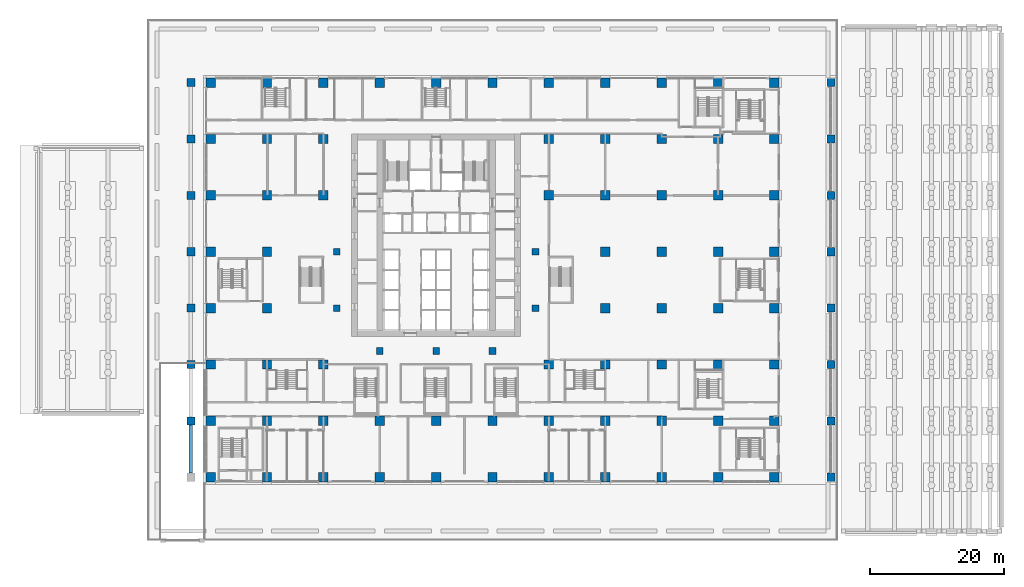
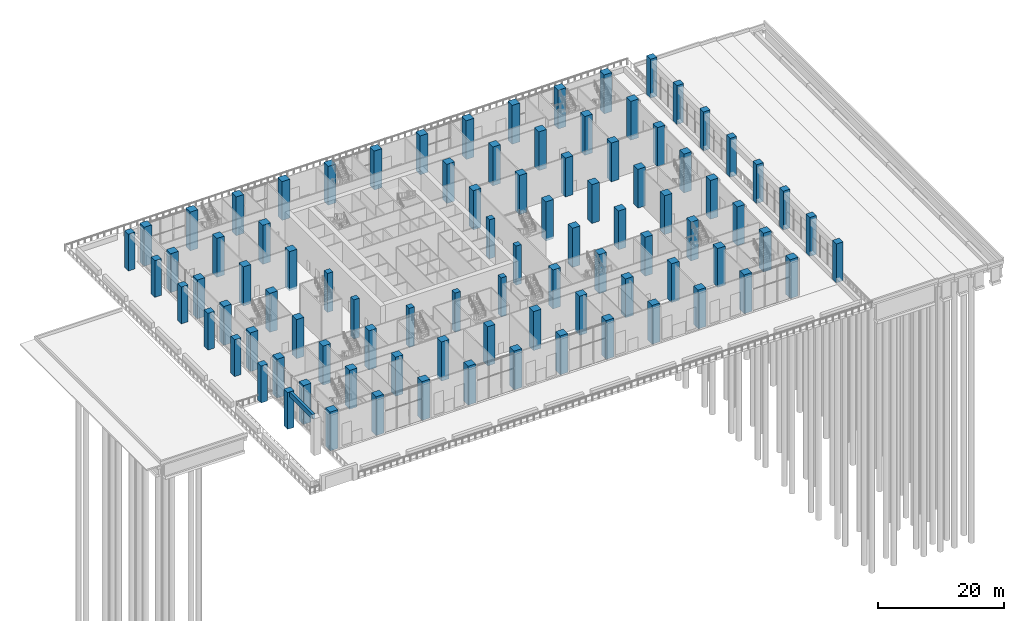
# One storey, part 3 of 53: 91 columns, 1 beam.
"""IFC4 building model written with IfcOpenShell, lengths in metres."""

from ifc_helpers import new_model, si_unit, direction, frame, origin, origin_2d, place, context, subcontext, project, spatial, rectangle, extrude, material, material_profile, profile_set, type_object, element, save


model = new_model("IFC4")

# Units and contexts
model_context = context("Model", 3, precision=1e-05, world=origin(), true_north=direction((0.0, 1.0)))
body_context = subcontext(model_context, "Body", "Model", "MODEL_VIEW")
ifc_project = project(units=[si_unit("LENGTHUNIT", "METRE"), si_unit("AREAUNIT", "SQUARE_METRE"), si_unit("VOLUMEUNIT", "CUBIC_METRE"), si_unit("PLANEANGLEUNIT", "RADIAN"), si_unit("MASSUNIT", "GRAM", prefix="KILO")], contexts=[model_context])

# Site, building, storey
site_placement = place(None, origin())
site = spatial("IfcSite", under=ifc_project, at=site_placement, CompositionType="ELEMENT")
building_placement = place(site_placement, origin())
building = spatial("IfcBuilding", under=site, at=building_placement, Name="Vermilion Ogive Tower", CompositionType="ELEMENT")
storey_placement = place(building_placement, origin())
storey = spatial("IfcBuildingStorey", under=building, at=storey_placement, Name="L00", CompositionType="ELEMENT", Elevation=0.0)

# Columns
ifc_material_1 = material(Name="Concrete B60", Category="concrete")
ifc_material_profile_1 = material_profile(ifc_material_1, rectangle(XDim=1.199951171875, YDim=1.199951171875, at=origin_2d()), Name="RC 1200x1200")
ifc_profile_set_1 = profile_set([ifc_material_profile_1], Name="Concrete B60")
column_type_1 = type_object("IfcColumnType", Name="Canopy pier CC2 1200x1200", PredefinedType="COLUMN", material=ifc_profile_set_1)
for number, where, z_axis, x_axis, name in (
    (1, (-36.550048828125, -21.0, 0.0), (0.0, 0.0, 1.0), (1.0, 0.0, 0.0), "Canopy pier 02"),
    (2, (-36.550048828125, -12.60009765625, 0.0), (0.0, 0.0, 1.0), (1.0, 0.0, 0.0), "Canopy pier 03"),
    (3, (-36.550048828125, -4.199951171875, 0.0), (0.0, 0.0, 1.0), (1.0, 0.0, 0.0), "Canopy pier 04"),
    (4, (-36.550048828125, 4.199951171875, 0.0), (0.0, 0.0, 1.0), (1.0, 0.0, 0.0), "Canopy pier 05"),
    (5, (-36.550048828125, 12.60009765625, 0.0), (0.0, 0.0, 1.0), (1.0, 0.0, 0.0), "Canopy pier 06"),
    (6, (-36.550048828125, 21.0, 0.0), (0.0, 0.0, 1.0), (1.0, 0.0, 0.0), "Canopy pier 07"),
    (7, (-36.550048828125, 29.39990234375, 0.0), (0.0, 0.0, 1.0), (1.0, 0.0, 0.0), "Canopy pier 08"),
):
    element("IfcColumn", number, at=place(storey_placement, frame(where, z_axis=z_axis, x_axis=x_axis)), inside=storey, type_object=column_type_1, Name=name, PredefinedType="COLUMN", context=body_context, shape_type="SweptSolid", body=[
        extrude(rectangle(XDim=1.199951171875, YDim=1.199951171875, at=origin_2d()), origin(), (0.0, 0.0, 1.0), 7.10009765625),
    ])
ifc_material_2 = material(Name="Concrete B80", Category="concrete")
ifc_material_profile_2 = material_profile(ifc_material_2, rectangle(XDim=1.39990234375, YDim=1.39990234375, at=origin_2d()), Name="1400 x 1400")
ifc_profile_set_2 = profile_set([ifc_material_profile_2], Name="Concrete B80")
column_type_2 = type_object("IfcColumnType", Name="Perimeter column 1400 x 1400 B80", PredefinedType="COLUMN", material=ifc_profile_set_2)
for number, where, z_axis, x_axis, name in (
    (8, (-16.800048828125, -21.0, -0.449951171875), (0.0, 0.0, 1.0), (1.0, 0.0, 0.0), "COL-L00-P-0168-210"),
    (9, (-8.39990234375, -21.0, -0.449951171875), (0.0, 0.0, 1.0), (1.0, 0.0, 0.0), "COL-L00-P-0084-210"),
    (10, (0.0, -21.0, -0.449951171875), (0.0, 0.0, 1.0), (1.0, 0.0, 0.0), "COL-L00-P+0000-210"),
    (11, (8.39990234375, -21.0, -0.449951171875), (0.0, 0.0, 1.0), (1.0, 0.0, 0.0), "COL-L00-P+0084-210"),
    (12, (16.800048828125, -21.0, -0.449951171875), (0.0, 0.0, 1.0), (1.0, 0.0, 0.0), "COL-L00-P+0168-210"),
    (13, (-25.199951171875, -12.60009765625, -0.449951171875), (0.0, 0.0, 1.0), (1.0, 0.0, 0.0), "COL-L00-P-0252-126"),
    (14, (-16.800048828125, -12.60009765625, -0.449951171875), (0.0, 0.0, 1.0), (1.0, 0.0, 0.0), "COL-L00-P-0168-126"),
    (15, (16.800048828125, -12.60009765625, -0.449951171875), (0.0, 0.0, 1.0), (1.0, 0.0, 0.0), "COL-L00-P+0168-126"),
    (16, (25.199951171875, -12.60009765625, -0.449951171875), (0.0, 0.0, 1.0), (1.0, 0.0, 0.0), "COL-L00-P+0252-126"),
    (17, (-25.199951171875, -4.199951171875, -0.449951171875), (0.0, 0.0, 1.0), (1.0, 0.0, 0.0), "COL-L00-P-0252-042"),
    (18, (25.199951171875, -4.199951171875, -0.449951171875), (0.0, 0.0, 1.0), (1.0, 0.0, 0.0), "COL-L00-P+0252-042"),
    (19, (-25.199951171875, 4.199951171875, -0.449951171875), (0.0, 0.0, 1.0), (1.0, 0.0, 0.0), "COL-L00-P-0252+042"),
    (20, (25.199951171875, 4.199951171875, -0.449951171875), (0.0, 0.0, 1.0), (1.0, 0.0, 0.0), "COL-L00-P+0252+042"),
    (21, (-25.199951171875, 12.60009765625, -0.449951171875), (0.0, 0.0, 1.0), (1.0, 0.0, 0.0), "COL-L00-P-0252+126"),
    (22, (-16.800048828125, 12.60009765625, -0.449951171875), (0.0, 0.0, 1.0), (1.0, 0.0, 0.0), "COL-L00-P-0168+126"),
    (23, (16.800048828125, 12.60009765625, -0.449951171875), (0.0, 0.0, 1.0), (1.0, 0.0, 0.0), "COL-L00-P+0168+126"),
    (24, (25.199951171875, 12.60009765625, -0.449951171875), (0.0, 0.0, 1.0), (1.0, 0.0, 0.0), "COL-L00-P+0252+126"),
    (25, (-16.800048828125, 21.0, -0.449951171875), (0.0, 0.0, 1.0), (1.0, 0.0, 0.0), "COL-L00-P-0168+210"),
    (26, (16.800048828125, 21.0, -0.449951171875), (0.0, 0.0, 1.0), (1.0, 0.0, 0.0), "COL-L00-P+0168+210"),
):
    element("IfcColumn", number, at=place(storey_placement, frame(where, z_axis=z_axis, x_axis=x_axis)), inside=storey, type_object=column_type_2, Name=name, PredefinedType="COLUMN", context=body_context, shape_type="SweptSolid", body=[
        extrude(rectangle(XDim=1.39990234375, YDim=1.39990234375, at=origin_2d()), origin(), (0.0, 0.0, 1.0), 7.550048828125),
    ])
ifc_material_3 = material(Name="Concrete B60", Category="concrete")
ifc_material_profile_3 = material_profile(ifc_material_3, rectangle(XDim=1.199951171875, YDim=1.199951171875, at=origin_2d()), Name="RC 1200x1200")
ifc_profile_set_3 = profile_set([ifc_material_profile_3], Name="Concrete B60")
column_type_3 = type_object("IfcColumnType", Name="Podium column RC 1200", PredefinedType="COLUMN", material=ifc_profile_set_3)
for number, where, z_axis, x_axis, name in (
    (27, (58.800048828125, -29.39990234375, 0.0), (0.0, 0.0, 1.0), (1.0, 0.0, 0.0), "Column 1.2 L00"),
    (28, (58.800048828125, -21.0, 0.0), (0.0, 0.0, 1.0), (1.0, 0.0, 0.0), "Column 1.2 L00"),
    (29, (58.800048828125, -12.60009765625, 0.0), (0.0, 0.0, 1.0), (1.0, 0.0, 0.0), "Column 1.2 L00"),
    (30, (58.800048828125, -4.199951171875, 0.0), (0.0, 0.0, 1.0), (1.0, 0.0, 0.0), "Column 1.2 L00"),
    (31, (58.800048828125, 4.199951171875, 0.0), (0.0, 0.0, 1.0), (1.0, 0.0, 0.0), "Column 1.2 L00"),
    (32, (58.800048828125, 12.60009765625, 0.0), (0.0, 0.0, 1.0), (1.0, 0.0, 0.0), "Column 1.2 L00"),
    (33, (58.800048828125, 21.0, 0.0), (0.0, 0.0, 1.0), (1.0, 0.0, 0.0), "Column 1.2 L00"),
    (34, (58.800048828125, 29.39990234375, 0.0), (0.0, 0.0, 1.0), (1.0, 0.0, 0.0), "Column 1.2 L00"),
):
    element("IfcColumn", number, at=place(storey_placement, frame(where, z_axis=z_axis, x_axis=x_axis)), inside=storey, type_object=column_type_3, Name=name, PredefinedType="COLUMN", context=body_context, shape_type="SweptSolid", body=[
        extrude(rectangle(XDim=1.199951171875, YDim=1.199951171875, at=origin_2d()), origin(), (0.0, 0.0, 1.0), 7.5),
    ])
ifc_material_4 = material(Name="Concrete B60", Category="concrete")
ifc_material_profile_4 = material_profile(ifc_material_4, rectangle(XDim=1.39990234375, YDim=1.39990234375, at=origin_2d()), Name="RC 1400x1400")
ifc_profile_set_4 = profile_set([ifc_material_profile_4], Name="Concrete B60")
column_type_4 = type_object("IfcColumnType", Name="Podium column RC 1400", PredefinedType="COLUMN", material=ifc_profile_set_4)
for number, where, z_axis, x_axis, name in (
    (35, (-33.60009765625, -29.39990234375, 0.0), (0.0, 0.0, 1.0), (1.0, 0.0, 0.0), "Column 1.4 L00"),
    (36, (-25.199951171875, -29.39990234375, 0.0), (0.0, 0.0, 1.0), (1.0, 0.0, 0.0), "Column 1.4 L00"),
    (37, (-16.800048828125, -29.39990234375, 0.0), (0.0, 0.0, 1.0), (1.0, 0.0, 0.0), "Column 1.4 L00"),
    (38, (-8.39990234375, -29.39990234375, 0.0), (0.0, 0.0, 1.0), (1.0, 0.0, 0.0), "Column 1.4 L00"),
    (39, (0.0, -29.39990234375, 0.0), (0.0, 0.0, 1.0), (1.0, 0.0, 0.0), "Column 1.4 L00"),
    (40, (8.39990234375, -29.39990234375, 0.0), (0.0, 0.0, 1.0), (1.0, 0.0, 0.0), "Column 1.4 L00"),
    (41, (16.800048828125, -29.39990234375, 0.0), (0.0, 0.0, 1.0), (1.0, 0.0, 0.0), "Column 1.4 L00"),
    (42, (25.199951171875, -29.39990234375, 0.0), (0.0, 0.0, 1.0), (1.0, 0.0, 0.0), "Column 1.4 L00"),
    (43, (33.60009765625, -29.39990234375, 0.0), (0.0, 0.0, 1.0), (1.0, 0.0, 0.0), "Column 1.4 L00"),
    (44, (42.0, -29.39990234375, 0.0), (0.0, 0.0, 1.0), (1.0, 0.0, 0.0), "Column 1.4 L00"),
    (45, (50.39990234375, -29.39990234375, 0.0), (0.0, 0.0, 1.0), (1.0, 0.0, 0.0), "Column 1.4 L00"),
    (46, (-33.60009765625, -21.0, 0.0), (0.0, 0.0, 1.0), (1.0, 0.0, 0.0), "Column 1.4 L00"),
    (47, (-25.199951171875, -21.0, 0.0), (0.0, 0.0, 1.0), (1.0, 0.0, 0.0), "Column 1.4 L00"),
    (48, (25.199951171875, -21.0, 0.0), (0.0, 0.0, 1.0), (1.0, 0.0, 0.0), "Column 1.4 L00"),
    (49, (33.60009765625, -21.0, 0.0), (0.0, 0.0, 1.0), (1.0, 0.0, 0.0), "Column 1.4 L00"),
    (50, (42.0, -21.0, 0.0), (0.0, 0.0, 1.0), (1.0, 0.0, 0.0), "Column 1.4 L00"),
    (51, (50.39990234375, -21.0, 0.0), (0.0, 0.0, 1.0), (1.0, 0.0, 0.0), "Column 1.4 L00"),
    (52, (-33.60009765625, -12.60009765625, 0.0), (0.0, 0.0, 1.0), (1.0, 0.0, 0.0), "Column 1.4 L00"),
    (53, (33.60009765625, -12.60009765625, 0.0), (0.0, 0.0, 1.0), (1.0, 0.0, 0.0), "Column 1.4 L00"),
    (54, (42.0, -12.60009765625, 0.0), (0.0, 0.0, 1.0), (1.0, 0.0, 0.0), "Column 1.4 L00"),
    (55, (50.39990234375, -12.60009765625, 0.0), (0.0, 0.0, 1.0), (1.0, 0.0, 0.0), "Column 1.4 L00"),
    (56, (-33.60009765625, -4.199951171875, 0.0), (0.0, 0.0, 1.0), (1.0, 0.0, 0.0), "Column 1.4 L00"),
    (57, (33.60009765625, -4.199951171875, 0.0), (0.0, 0.0, 1.0), (1.0, 0.0, 0.0), "Column 1.4 L00"),
    (58, (42.0, -4.199951171875, 0.0), (0.0, 0.0, 1.0), (1.0, 0.0, 0.0), "Column 1.4 L00"),
    (59, (50.39990234375, -4.199951171875, 0.0), (0.0, 0.0, 1.0), (1.0, 0.0, 0.0), "Column 1.4 L00"),
    (60, (-33.60009765625, 4.199951171875, 0.0), (0.0, 0.0, 1.0), (1.0, 0.0, 0.0), "Column 1.4 L00"),
    (61, (33.60009765625, 4.199951171875, 0.0), (0.0, 0.0, 1.0), (1.0, 0.0, 0.0), "Column 1.4 L00"),
    (62, (42.0, 4.199951171875, 0.0), (0.0, 0.0, 1.0), (1.0, 0.0, 0.0), "Column 1.4 L00"),
    (63, (50.39990234375, 4.199951171875, 0.0), (0.0, 0.0, 1.0), (1.0, 0.0, 0.0), "Column 1.4 L00"),
    (64, (-33.60009765625, 12.60009765625, 0.0), (0.0, 0.0, 1.0), (1.0, 0.0, 0.0), "Column 1.4 L00"),
    (65, (33.60009765625, 12.60009765625, 0.0), (0.0, 0.0, 1.0), (1.0, 0.0, 0.0), "Column 1.4 L00"),
    (66, (42.0, 12.60009765625, 0.0), (0.0, 0.0, 1.0), (1.0, 0.0, 0.0), "Column 1.4 L00"),
    (67, (50.39990234375, 12.60009765625, 0.0), (0.0, 0.0, 1.0), (1.0, 0.0, 0.0), "Column 1.4 L00"),
    (68, (-33.60009765625, 21.0, 0.0), (0.0, 0.0, 1.0), (1.0, 0.0, 0.0), "Column 1.4 L00"),
    (69, (-25.199951171875, 21.0, 0.0), (0.0, 0.0, 1.0), (1.0, 0.0, 0.0), "Column 1.4 L00"),
    (70, (25.199951171875, 21.0, 0.0), (0.0, 0.0, 1.0), (1.0, 0.0, 0.0), "Column 1.4 L00"),
    (71, (33.60009765625, 21.0, 0.0), (0.0, 0.0, 1.0), (1.0, 0.0, 0.0), "Column 1.4 L00"),
    (72, (42.0, 21.0, 0.0), (0.0, 0.0, 1.0), (1.0, 0.0, 0.0), "Column 1.4 L00"),
    (73, (50.39990234375, 21.0, 0.0), (0.0, 0.0, 1.0), (1.0, 0.0, 0.0), "Column 1.4 L00"),
    (74, (-33.60009765625, 29.39990234375, 0.0), (0.0, 0.0, 1.0), (1.0, 0.0, 0.0), "Column 1.4 L00"),
    (75, (-25.199951171875, 29.39990234375, 0.0), (0.0, 0.0, 1.0), (1.0, 0.0, 0.0), "Column 1.4 L00"),
    (76, (-16.800048828125, 29.39990234375, 0.0), (0.0, 0.0, 1.0), (1.0, 0.0, 0.0), "Column 1.4 L00"),
    (77, (-8.39990234375, 29.39990234375, 0.0), (0.0, 0.0, 1.0), (1.0, 0.0, 0.0), "Column 1.4 L00"),
    (78, (0.0, 29.39990234375, 0.0), (0.0, 0.0, 1.0), (1.0, 0.0, 0.0), "Column 1.4 L00"),
    (79, (8.39990234375, 29.39990234375, 0.0), (0.0, 0.0, 1.0), (1.0, 0.0, 0.0), "Column 1.4 L00"),
    (80, (16.800048828125, 29.39990234375, 0.0), (0.0, 0.0, 1.0), (1.0, 0.0, 0.0), "Column 1.4 L00"),
    (81, (25.199951171875, 29.39990234375, 0.0), (0.0, 0.0, 1.0), (1.0, 0.0, 0.0), "Column 1.4 L00"),
    (82, (33.60009765625, 29.39990234375, 0.0), (0.0, 0.0, 1.0), (1.0, 0.0, 0.0), "Column 1.4 L00"),
    (83, (42.0, 29.39990234375, 0.0), (0.0, 0.0, 1.0), (1.0, 0.0, 0.0), "Column 1.4 L00"),
    (84, (50.39990234375, 29.39990234375, 0.0), (0.0, 0.0, 1.0), (1.0, 0.0, 0.0), "Column 1.4 L00"),
):
    element("IfcColumn", number, at=place(storey_placement, frame(where, z_axis=z_axis, x_axis=x_axis)), inside=storey, type_object=column_type_4, Name=name, PredefinedType="COLUMN", context=body_context, shape_type="SweptSolid", body=[
        extrude(rectangle(XDim=1.39990234375, YDim=1.39990234375, at=origin_2d()), origin(), (0.0, 0.0, 1.0), 7.5),
    ])
ifc_material_5 = material(Name="Concrete B80", Category="concrete")
ifc_material_profile_5 = material_profile(ifc_material_5, rectangle(XDim=1.0, YDim=1.0, at=origin_2d()), Name="1000 x 1000")
ifc_profile_set_5 = profile_set([ifc_material_profile_5], Name="Concrete B80")
column_type_5 = type_object("IfcColumnType", Name="Ring column 1000 x 1000 B80", PredefinedType="COLUMN", material=ifc_profile_set_5)
for number, where, z_axis, x_axis, name in (
    (85, (-8.39990234375, -10.60009765625, -0.449951171875), (0.0, 0.0, 1.0), (1.0, 0.0, 0.0), "COL-L00-R-0084-106"),
    (86, (0.0, -10.60009765625, -0.449951171875), (0.0, 0.0, 1.0), (1.0, 0.0, 0.0), "COL-L00-R+0000-106"),
    (87, (8.39990234375, -10.60009765625, -0.449951171875), (0.0, 0.0, 1.0), (1.0, 0.0, 0.0), "COL-L00-R+0084-106"),
    (88, (-14.800048828125, -4.199951171875, -0.449951171875), (0.0, 0.0, 1.0), (1.0, 0.0, 0.0), "COL-L00-R-0148-042"),
    (89, (14.800048828125, -4.199951171875, -0.449951171875), (0.0, 0.0, 1.0), (1.0, 0.0, 0.0), "COL-L00-R+0148-042"),
    (90, (-14.800048828125, 4.199951171875, -0.449951171875), (0.0, 0.0, 1.0), (1.0, 0.0, 0.0), "COL-L00-R-0148+042"),
    (91, (14.800048828125, 4.199951171875, -0.449951171875), (0.0, 0.0, 1.0), (1.0, 0.0, 0.0), "COL-L00-R+0148+042"),
):
    element("IfcColumn", number, at=place(storey_placement, frame(where, z_axis=z_axis, x_axis=x_axis)), inside=storey, type_object=column_type_5, Name=name, PredefinedType="COLUMN", context=body_context, shape_type="SweptSolid", body=[
        extrude(rectangle(XDim=1.0, YDim=1.0, at=origin_2d()), origin(), (0.0, 0.0, 1.0), 7.550048828125),
    ])

# Beam
ifc_material_6 = material(Name="Concrete B45", Category="concrete")
ifc_material_profile_6 = material_profile(ifc_material_6, rectangle(XDim=0.5, YDim=0.89990234375, at=origin_2d()), Name="RC 500x900")
ifc_profile_set_6 = profile_set([ifc_material_profile_6], Name="Concrete B45")
beam_type = type_object("IfcBeamType", Name="Canopy fascia beam CF1 500x900", PredefinedType="BEAM", material=ifc_profile_set_6)
beam_placement = place(storey_placement, frame((-36.550048828125, -28.800048828125, 6.650146484375), z_axis=(0.0, 1.0, 0.0), x_axis=(-1.0, 0.0, 0.0)))
element("IfcBeam", 92, at=beam_placement, inside=storey, type_object=beam_type, Name="Canopy fascia beam 01", PredefinedType="BEAM", context=body_context, shape_type="SweptSolid", body=[
    extrude(rectangle(XDim=0.5, YDim=0.89990234375, at=origin_2d()), origin(), (0.0, 0.0, 1.0), 7.199951171875),
])

save(model, "model.ifc")
